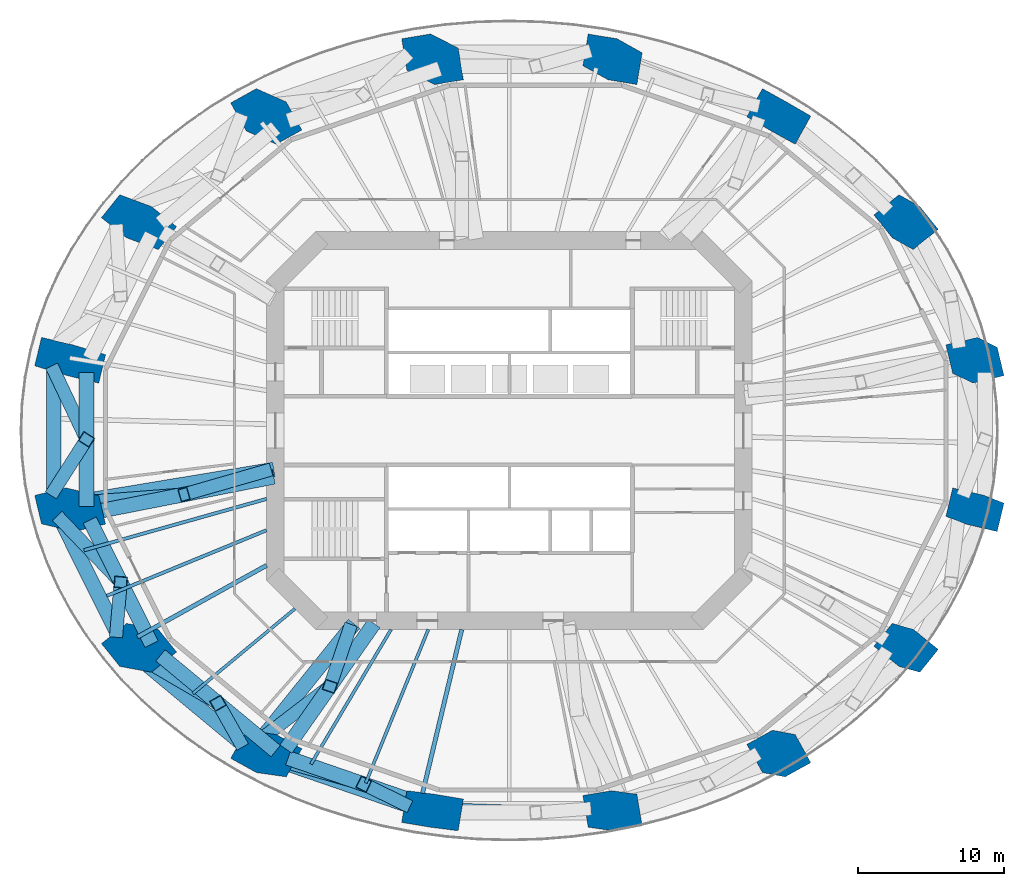
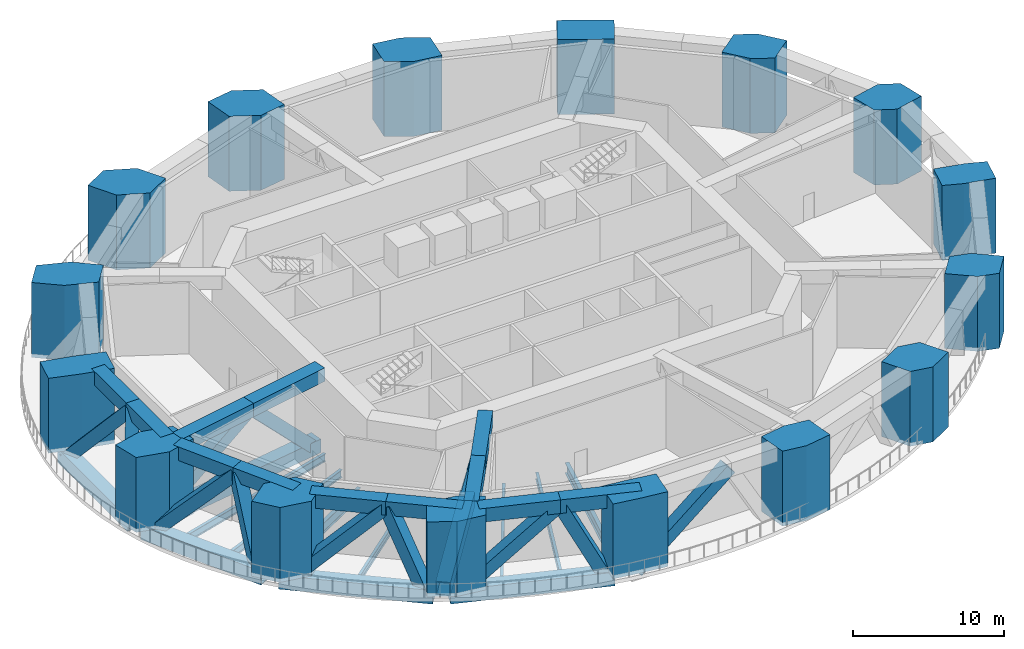
# One storey, part 1 of 12: 31 members, 16 columns, 7 beams.
"""IFC4 building model written with IfcOpenShell, lengths in metres."""

from ifc_helpers import new_model, si_unit, direction, frame, origin, origin_2d, place, context, subcontext, project, spatial, polyline, rectangle, hollow_rectangle, i_section, outline, extrude, material, material_profile, profile_set, type_object, element, save


model = new_model("IFC4")

# Units and contexts
model_context = context("Model", 3, precision=1e-05, world=origin(), true_north=direction((0.0, 1.0)))
body_context = subcontext(model_context, "Body", "Model", "MODEL_VIEW")
ifc_project = project(units=[si_unit("LENGTHUNIT", "METRE"), si_unit("AREAUNIT", "SQUARE_METRE"), si_unit("VOLUMEUNIT", "CUBIC_METRE"), si_unit("PLANEANGLEUNIT", "RADIAN"), si_unit("MASSUNIT", "GRAM", prefix="KILO")], contexts=[model_context])

# Site, building, storey
site_placement = place(None, origin())
site = spatial("IfcSite", under=ifc_project, at=site_placement, CompositionType="ELEMENT")
building_placement = place(site_placement, origin())
building = spatial("IfcBuilding", under=site, at=building_placement, Name="Marenthal Gate Tower", CompositionType="ELEMENT")
storey_placement = place(building_placement, frame((0.0, 0.0, 149.64990234375)))
storey = spatial("IfcBuildingStorey", under=building, at=storey_placement, Name="L32", CompositionType="ELEMENT", Elevation=149.64990234375)

# Columns
ifc_material_1 = material(Name="Steel S460", Category="steel")
ifc_material_profile_1 = material_profile(ifc_material_1, hollow_rectangle(XDim=2.0, YDim=2.199951171875, WallThickness=0.080078125, at=origin_2d()), Name="CFT BOX 2200X2000X80")
ifc_material_2 = material(Name="Concrete 70 MPa", Category="concrete")
ifc_material_profile_2 = material_profile(ifc_material_2, rectangle(XDim=1.840087890625, YDim=2.0400390625, at=origin_2d()), Name="CFT BOX 2200X2000X80 INFILL")
ifc_profile_set_1 = profile_set([ifc_material_profile_1, ifc_material_profile_2], Name="Steel S460 shell, Concrete 70 MPa infill")
column_type = type_object("IfcColumnType", Name="CFT BOX 2200X2000X80", PredefinedType="COLUMN", material=ifc_profile_set_1)
column_1_placement = place(storey_placement, frame((0.0, 0.0, -0.2998046875)))
element("IfcColumn", 1, at=column_1_placement, inside=storey, type_object=column_type, Name="COL-L32-01", PredefinedType="COLUMN", context=body_context, shape_type="SweptSolid", body=[
    extrude(outline(polyline([(31.680419921875, 3.24609375), (30.31494140625, 3.917236328125), (29.84912109375, 5.8623046875), (31.988525390625, 6.37451171875), (33.35400390625, 5.703369140625), (33.81982421875, 3.75830078125), (31.680419921875, 3.24609375)])), origin(), (0.0, 0.0, 1.0), 6.0498046875),
])
column_2_placement = place(storey_placement, frame((0.0, 0.0, -0.2998046875)))
element("IfcColumn", 2, at=column_2_placement, inside=storey, type_object=column_type, Name="COL-L32-02", PredefinedType="COLUMN", context=body_context, shape_type="SweptSolid", body=[
    extrude(outline(polyline([(27.610595703125, 12.3828125), (26.178955078125, 13.185546875), (24.92529296875, 14.743896484375), (26.639404296875, 16.123046875), (28.071044921875, 15.3203125), (29.32470703125, 13.761962890625), (27.610595703125, 12.3828125)])), origin(), (0.0, 0.0, 1.0), 6.0498046875),
])
column_3_placement = place(storey_placement, frame((0.0, 0.0, -0.2998046875)))
element("IfcColumn", 3, at=column_3_placement, inside=storey, type_object=column_type, Name="COL-L32-03", PredefinedType="COLUMN", context=body_context, shape_type="SweptSolid", body=[
    extrude(outline(polyline([(19.54052734375, 19.581298828125), (17.791748046875, 20.551513671875), (16.23779296875, 21.455078125), (17.305419921875, 23.378662109375), (19.05419921875, 22.408203125), (20.60791015625, 21.5048828125), (19.54052734375, 19.581298828125)])), origin(), (0.0, 0.0, 1.0), 6.0498046875),
])
column_4_placement = place(storey_placement, frame((0.0, 0.0, -0.2998046875)))
element("IfcColumn", 4, at=column_4_placement, inside=storey, type_object=column_type, Name="COL-L32-04", PredefinedType="COLUMN", context=body_context, shape_type="SweptSolid", body=[
    extrude(outline(polyline([(8.71728515625, 23.663818359375), (6.744140625, 23.989990234375), (5.030517578125, 24.947998046875), (5.38916015625, 27.118408203125), (7.3623046875, 26.79248046875), (9.075927734375, 25.83447265625), (8.71728515625, 23.663818359375)])), origin(), (0.0, 0.0, 1.0), 6.0498046875),
])
column_5_placement = place(storey_placement, frame((0.0, 0.0, -0.2998046875)))
element("IfcColumn", 5, at=column_5_placement, inside=storey, type_object=column_type, Name="COL-L32-05", PredefinedType="COLUMN", context=body_context, shape_type="SweptSolid", body=[
    extrude(outline(polyline([(-5.117431640625, 23.663818359375), (-7.00390625, 24.621826171875), (-7.3623046875, 26.79248046875), (-5.38916015625, 27.118408203125), (-3.502685546875, 26.160400390625), (-3.14404296875, 23.989990234375), (-5.117431640625, 23.663818359375)])), origin(), (0.0, 0.0, 1.0), 6.0498046875),
])
column_6_placement = place(storey_placement, frame((0.0, 0.0, -0.2998046875)))
element("IfcColumn", 6, at=column_6_placement, inside=storey, type_object=column_type, Name="COL-L32-06", PredefinedType="COLUMN", context=body_context, shape_type="SweptSolid", body=[
    extrude(outline(polyline([(-15.940673828125, 19.581298828125), (-17.98681640625, 20.484619140625), (-19.05419921875, 22.408203125), (-17.305419921875, 23.378662109375), (-15.25927734375, 22.47509765625), (-14.19189453125, 20.551513671875), (-15.940673828125, 19.581298828125)])), origin(), (0.0, 0.0, 1.0), 6.0498046875),
])
column_7_placement = place(storey_placement, frame((0.0, 0.0, -0.2998046875)))
element("IfcColumn", 7, at=column_7_placement, inside=storey, type_object=column_type, Name="COL-L32-07", PredefinedType="COLUMN", context=body_context, shape_type="SweptSolid", body=[
    extrude(outline(polyline([(-24.010498046875, 12.3828125), (-26.178955078125, 13.185546875), (-27.89306640625, 14.564697265625), (-26.639404296875, 16.123046875), (-24.470947265625, 15.3203125), (-22.7568359375, 13.941162109375), (-24.010498046875, 12.3828125)])), origin(), (0.0, 0.0, 1.0), 6.0498046875),
])
column_8_placement = place(storey_placement, frame((0.0, 0.0, -0.2998046875)))
element("IfcColumn", 8, at=column_8_placement, inside=storey, type_object=column_type, Name="COL-L32-08", PredefinedType="COLUMN", context=body_context, shape_type="SweptSolid", body=[
    extrude(outline(polyline([(-28.080322265625, 3.24609375), (-30.219970703125, 3.75830078125), (-32.454345703125, 4.4296875), (-31.988525390625, 6.37451171875), (-29.84912109375, 5.8623046875), (-27.614501953125, 5.19091796875), (-28.080322265625, 3.24609375)])), origin(), (0.0, 0.0, 1.0), 6.0498046875),
])
column_9_placement = place(storey_placement, frame((0.0, 0.0, -0.2998046875)))
element("IfcColumn", 9, at=column_9_placement, inside=storey, type_object=column_type, Name="COL-L32-09", PredefinedType="COLUMN", context=body_context, shape_type="SweptSolid", body=[
    extrude(outline(polyline([(-29.75390625, -6.9033203125), (-31.988525390625, -6.37451171875), (-32.454345703125, -4.4296875), (-30.31494140625, -3.917236328125), (-28.080322265625, -4.446044921875), (-27.614501953125, -6.39111328125), (-29.75390625, -6.9033203125)])), origin(), (0.0, 0.0, 1.0), 6.0498046875),
])
column_10_placement = place(storey_placement, frame((0.0, 0.0, -0.2998046875)))
element("IfcColumn", 10, at=column_10_placement, inside=storey, type_object=column_type, Name="COL-L32-10", PredefinedType="COLUMN", context=body_context, shape_type="SweptSolid", body=[
    extrude(outline(polyline([(-24.470947265625, -16.520263671875), (-26.639404296875, -16.123046875), (-27.89306640625, -14.564697265625), (-26.178955078125, -13.185546875), (-24.010498046875, -13.582763671875), (-22.7568359375, -15.14111328125), (-24.470947265625, -16.520263671875)])), origin(), (0.0, 0.0, 1.0), 6.0498046875),
])
column_11_placement = place(storey_placement, frame((0.0, 0.0, -0.2998046875)))
element("IfcColumn", 11, at=column_11_placement, inside=storey, type_object=column_type, Name="COL-L32-11", PredefinedType="COLUMN", context=body_context, shape_type="SweptSolid", body=[
    extrude(outline(polyline([(-15.25927734375, -23.67529296875), (-17.305419921875, -23.378662109375), (-19.05419921875, -22.408203125), (-17.98681640625, -20.484619140625), (-15.940673828125, -20.78125), (-14.19189453125, -21.751708984375), (-15.25927734375, -23.67529296875)])), origin(), (0.0, 0.0, 1.0), 6.0498046875),
])
column_12_placement = place(storey_placement, frame((0.0, 0.0, -0.2998046875)))
element("IfcColumn", 12, at=column_12_placement, inside=storey, type_object=column_type, Name="COL-L32-12", PredefinedType="COLUMN", context=body_context, shape_type="SweptSolid", body=[
    extrude(outline(polyline([(-3.502685546875, -27.360595703125), (-5.38916015625, -27.118408203125), (-7.3623046875, -26.79248046875), (-7.00390625, -24.621826171875), (-5.117431640625, -24.864013671875), (-3.14404296875, -25.18994140625), (-3.502685546875, -27.360595703125)])), origin(), (0.0, 0.0, 1.0), 6.0498046875),
])
column_13_placement = place(storey_placement, frame((0.0, 0.0, -0.2998046875)))
element("IfcColumn", 13, at=column_13_placement, inside=storey, type_object=column_type, Name="COL-L32-13", PredefinedType="COLUMN", context=body_context, shape_type="SweptSolid", body=[
    extrude(outline(polyline([(7.1025390625, -27.360595703125), (5.38916015625, -27.118408203125), (5.030517578125, -24.947998046875), (7.00390625, -24.621826171875), (8.71728515625, -24.864013671875), (9.075927734375, -27.034423828125), (7.1025390625, -27.360595703125)])), origin(), (0.0, 0.0, 1.0), 6.0498046875),
])
column_14_placement = place(storey_placement, frame((0.0, 0.0, -0.2998046875)))
element("IfcColumn", 14, at=column_14_placement, inside=storey, type_object=column_type, Name="COL-L32-14", PredefinedType="COLUMN", context=body_context, shape_type="SweptSolid", body=[
    extrude(outline(polyline([(18.859130859375, -23.67529296875), (17.305419921875, -23.378662109375), (16.23779296875, -21.455078125), (17.98681640625, -20.484619140625), (19.54052734375, -20.78125), (20.60791015625, -22.704833984375), (18.859130859375, -23.67529296875)])), origin(), (0.0, 0.0, 1.0), 6.0498046875),
])
column_15_placement = place(storey_placement, frame((0.0, 0.0, -0.2998046875)))
element("IfcColumn", 15, at=column_15_placement, inside=storey, type_object=column_type, Name="COL-L32-15", PredefinedType="COLUMN", context=body_context, shape_type="SweptSolid", body=[
    extrude(outline(polyline([(28.071044921875, -16.520263671875), (26.639404296875, -16.123046875), (24.92529296875, -14.743896484375), (26.178955078125, -13.185546875), (27.610595703125, -13.582763671875), (29.32470703125, -14.9619140625), (28.071044921875, -16.520263671875)])), origin(), (0.0, 0.0, 1.0), 6.0498046875),
])
column_16_placement = place(storey_placement, frame((0.0, 0.0, -0.2998046875)))
element("IfcColumn", 16, at=column_16_placement, inside=storey, type_object=column_type, Name="COL-L32-16", PredefinedType="COLUMN", context=body_context, shape_type="SweptSolid", body=[
    extrude(outline(polyline([(33.35400390625, -6.9033203125), (31.214599609375, -6.39111328125), (29.84912109375, -5.8623046875), (30.31494140625, -3.917236328125), (32.454345703125, -4.4296875), (33.81982421875, -4.95849609375), (33.35400390625, -6.9033203125)])), origin(), (0.0, 0.0, 1.0), 6.0498046875),
])

# Beams
ifc_material_3 = material(Name="Steel S355", Category="steel")
ifc_material_profile_3 = material_profile(ifc_material_3, i_section(OverallWidth=0.2099609375, OverallDepth=0.535888671875, WebThickness=0.010986328125, FlangeThickness=0.017333984375, FilletRadius=0.0126953125, at=origin_2d()), Name="W530X101")
ifc_profile_set_2 = profile_set([ifc_material_profile_3], Name="Steel S355")
beam_type_1 = type_object("IfcBeamType", Name="W530X101 beam", PredefinedType="BEAM", material=ifc_profile_set_2)
beam_1_placement = place(storey_placement, frame((-21.63623046875, -17.968017578125, -0.56787109375), z_axis=(0.769315904911, 0.638868561169, 0.0), x_axis=(-0.638868561169, 0.769315904911, 0.0)))
element("IfcBeam", 17, at=beam_1_placement, inside=storey, type_object=beam_type_1, Name="BM-L32-23", PredefinedType="BEAM", context=body_context, shape_type="SweptSolid", body=[
    extrude(i_section(OverallWidth=0.2099609375, OverallDepth=0.535888671875, WebThickness=0.010986328125, FlangeThickness=0.017333984375, FilletRadius=0.0126953125, at=origin_2d()), origin(), (0.0, 0.0, 1.0), 9.058349609375),
])
ifc_material_4 = material(Name="Steel S355", Category="steel")
ifc_material_profile_4 = material_profile(ifc_material_4, i_section(OverallWidth=0.2119140625, OverallDepth=0.5439453125, WebThickness=0.01318359375, FlangeThickness=0.021240234375, FilletRadius=0.0126953125, at=origin_2d()), Name="W530X123")
ifc_profile_set_3 = profile_set([ifc_material_profile_4], Name="Steel S355")
beam_type_2 = type_object("IfcBeamType", Name="W530X123 beam", PredefinedType="BEAM", material=ifc_profile_set_3)
beam_2_placement = place(storey_placement, frame((-13.568359375, -22.8056640625, -0.572021484375), z_axis=(0.511314756252, 0.859393518732, 0.0), x_axis=(-0.859393518732, 0.511314756252, 0.0)))
element("IfcBeam", 18, at=beam_2_placement, inside=storey, type_object=beam_type_2, Name="BM-L32-24", PredefinedType="BEAM", context=body_context, shape_type="SweptSolid", body=[
    extrude(i_section(OverallWidth=0.2119140625, OverallDepth=0.5439453125, WebThickness=0.01318359375, FlangeThickness=0.021240234375, FilletRadius=0.0126953125, at=origin_2d()), origin(), (0.0, 0.0, 1.0), 10.711669921875),
])
beam_3_placement = place(storey_placement, frame((-9.823974609375, -24.09375, -0.572021484375), z_axis=(0.377552126987, 0.92598833222, 0.0), x_axis=(-0.92598833222, 0.377552126987, 0.0)))
element("IfcBeam", 19, at=beam_3_placement, inside=storey, type_object=beam_type_2, Name="BM-L32-25", PredefinedType="BEAM", context=body_context, shape_type="SweptSolid", body=[
    extrude(i_section(OverallWidth=0.2119140625, OverallDepth=0.5439453125, WebThickness=0.01318359375, FlangeThickness=0.021240234375, FilletRadius=0.0126953125, at=origin_2d()), origin(), (0.0, 0.0, 1.0), 11.332275390625),
])
ifc_material_5 = material(Name="Steel S355", Category="steel")
ifc_material_profile_5 = material_profile(ifc_material_5, i_section(OverallWidth=0.22900390625, OverallDepth=0.612060546875, WebThickness=0.011962890625, FlangeThickness=0.01953125, FilletRadius=0.0126953125, at=origin_2d()), Name="W610X125")
ifc_profile_set_4 = profile_set([ifc_material_profile_5], Name="Steel S355")
beam_type_3 = type_object("IfcBeamType", Name="W610X125 beam", PredefinedType="BEAM", material=ifc_profile_set_4)
beam_4_placement = place(storey_placement, frame((-29.080810546875, -8.177490234375, -0.60595703125), z_axis=(0.962664589347, 0.270697041761, 0.0), x_axis=(-0.270697041761, 0.962664589347, 0.0)))
element("IfcBeam", 20, at=beam_4_placement, inside=storey, type_object=beam_type_3, Name="BM-L32-21", PredefinedType="BEAM", context=body_context, shape_type="SweptSolid", body=[
    extrude(i_section(OverallWidth=0.22900390625, OverallDepth=0.612060546875, WebThickness=0.011962890625, FlangeThickness=0.01953125, FilletRadius=0.0126953125, at=origin_2d()), origin(), (0.0, 0.0, 1.0), 12.96484375),
])
beam_5_placement = place(storey_placement, frame((-27.526123046875, -11.29443359375, -0.60595703125), z_axis=(0.925148328631, 0.379605808743, 0.0), x_axis=(-0.379605808743, 0.925148328631, 0.0)))
element("IfcBeam", 21, at=beam_5_placement, inside=storey, type_object=beam_type_3, Name="BM-L32-22", PredefinedType="BEAM", context=body_context, shape_type="SweptSolid", body=[
    extrude(i_section(OverallWidth=0.22900390625, OverallDepth=0.612060546875, WebThickness=0.011962890625, FlangeThickness=0.01953125, FilletRadius=0.0126953125, at=origin_2d()), origin(), (0.0, 0.0, 1.0), 11.81005859375),
])
ifc_material_6 = material(Name="Steel S355", Category="steel")
ifc_material_profile_6 = material_profile(ifc_material_6, i_section(OverallWidth=0.2919921875, OverallDepth=0.841064453125, WebThickness=0.0146484375, FlangeThickness=0.021728515625, FilletRadius=0.017822265625, at=origin_2d()), Name="W840X193")
ifc_profile_set_5 = profile_set([ifc_material_profile_6], Name="Steel S355")
beam_type_4 = type_object("IfcBeamType", Name="W840X193 beam", PredefinedType="BEAM", material=ifc_profile_set_5)
beam_6_placement = place(storey_placement, frame((-25.43310546875, -14.11279296875, -0.720458984375), z_axis=(0.87439315155, 0.485218112318, 0.0), x_axis=(-0.485218112318, 0.87439315155, 0.0)))
element("IfcBeam", 22, at=beam_6_placement, inside=storey, type_object=beam_type_4, Name="BM-L32-05", PredefinedType="BEAM", context=body_context, shape_type="SweptSolid", body=[
    extrude(i_section(OverallWidth=0.2919921875, OverallDepth=0.841064453125, WebThickness=0.0146484375, FlangeThickness=0.021728515625, FilletRadius=0.017822265625, at=origin_2d()), origin(), (0.0, 0.0, 1.0), 10.101806640625),
])
beam_7_placement = place(storey_placement, frame((-5.939697265625, -24.797607421875, -0.720458984375), z_axis=(0.232939880808, 0.972491137198, 0.0), x_axis=(-0.972491137198, 0.232939880808, 0.0)))
element("IfcBeam", 23, at=beam_7_placement, inside=storey, type_object=beam_type_4, Name="BM-L32-06", PredefinedType="BEAM", context=body_context, shape_type="SweptSolid", body=[
    extrude(i_section(OverallWidth=0.2919921875, OverallDepth=0.841064453125, WebThickness=0.0146484375, FlangeThickness=0.021728515625, FilletRadius=0.017822265625, at=origin_2d()), origin(), (0.0, 0.0, 1.0), 11.51416015625),
])

# Members
ifc_material_7 = material(Name="Steel S460", Category="steel")
ifc_material_profile_7 = material_profile(ifc_material_7, hollow_rectangle(XDim=1.0, YDim=1.10009765625, WallThickness=0.070068359375, at=origin_2d()), Name="BOX 1100X1000X70")
ifc_profile_set_6 = profile_set([ifc_material_profile_7], Name="Steel S460")
member_type_1 = type_object("IfcMemberType", Name="belt chord BOX 1100X1000X70", PredefinedType="CHORD", material=ifc_profile_set_6)
member_1_placement = place(storey_placement, frame((-31.151611328125, 4.61767578125, -0.849853515625), z_axis=(0.0, -1.0, 0.0), x_axis=(1.0, 0.0, 0.0)))
element("IfcMember", 24, at=member_1_placement, inside=storey, type_object=member_type_1, Name="BT-L32-36", PredefinedType="CHORD", context=body_context, shape_type="SweptSolid", body=[
    extrude(hollow_rectangle(XDim=1.0, YDim=1.10009765625, WallThickness=0.070068359375, at=origin_2d()), origin(), (0.0, 0.0, 1.0), 9.2353515625),
])
member_2_placement = place(storey_placement, frame((-28.917236328125, 3.97216796875, 5.2001953125), z_axis=(0.0, -1.0, 0.0), x_axis=(1.0, 0.0, 0.0)))
element("IfcMember", 25, at=member_2_placement, inside=storey, type_object=member_type_1, Name="BT-L32-37", PredefinedType="CHORD", context=body_context, shape_type="SweptSolid", body=[
    extrude(hollow_rectangle(XDim=1.0, YDim=1.10009765625, WallThickness=0.070068359375, at=origin_2d()), origin(), (0.0, 0.0, 1.0), 4.572265625),
])
member_3_placement = place(storey_placement, frame((-28.917236328125, -0.60009765625, 5.2001953125), z_axis=(0.0, -1.0, 0.0), x_axis=(1.0, 0.0, 0.0)))
element("IfcMember", 26, at=member_3_placement, inside=storey, type_object=member_type_1, Name="BT-L32-38", PredefinedType="CHORD", context=body_context, shape_type="SweptSolid", body=[
    extrude(hollow_rectangle(XDim=1.0, YDim=1.10009765625, WallThickness=0.070068359375, at=origin_2d()), origin(), (0.0, 0.0, 1.0), 4.572021484375),
])
member_4_placement = place(storey_placement, frame((-30.916748046875, -5.616943359375, -0.849853515625), z_axis=(0.446356728124, -0.89485511188, 0.0), x_axis=(0.89485511188, 0.446356728124, 0.0)))
element("IfcMember", 27, at=member_4_placement, inside=storey, type_object=member_type_1, Name="BT-L32-41", PredefinedType="CHORD", context=body_context, shape_type="SweptSolid", body=[
    extrude(hollow_rectangle(XDim=1.0, YDim=1.10009765625, WallThickness=0.070068359375, at=origin_2d()), origin(), (0.0, 0.0, 1.0), 9.57568359375),
])
for number, where, z_axis, x_axis, name in (
    (28, (-28.693603515625, -6.122802734375, 5.2001953125), (0.446265596634, -0.894900562778, 0.0), (0.894900562778, 0.446265596634, 0.0), "BT-L32-42"),
    (29, (-26.578369140625, -10.364501953125, 5.2001953125), (0.446327417471, -0.894869731533, 0.0), (0.894869731533, 0.446327417471, 0.0), "BT-L32-43"),
):
    element("IfcMember", number, at=place(storey_placement, frame(where, z_axis=z_axis, x_axis=x_axis)), inside=storey, type_object=member_type_1, Name=name, PredefinedType="CHORD", context=body_context, shape_type="SweptSolid", body=[
        extrude(hollow_rectangle(XDim=1.0, YDim=1.10009765625, WallThickness=0.070068359375, at=origin_2d()), origin(), (0.0, 0.0, 1.0), 4.73974609375),
    ])
member_5_placement = place(storey_placement, frame((-26.0087890625, -14.98681640625, -0.849853515625), z_axis=(0.769308410826, -0.638877585326, 0.0), x_axis=(0.638877585326, 0.769308410826, 0.0)))
element("IfcMember", 30, at=member_5_placement, inside=storey, type_object=member_type_1, Name="BT-L32-46", PredefinedType="CHORD", context=body_context, shape_type="SweptSolid", body=[
    extrude(hollow_rectangle(XDim=1.0, YDim=1.10009765625, WallThickness=0.070068359375, at=origin_2d()), origin(), (0.0, 0.0, 1.0), 10.35302734375),
])
member_6_placement = place(storey_placement, frame((-23.860107421875, -15.36767578125, 5.2001953125), z_axis=(0.769271096313, -0.638922515159, 0.0), x_axis=(0.638922515159, 0.769271096313, 0.0)))
element("IfcMember", 31, at=member_6_placement, inside=storey, type_object=member_type_1, Name="BT-L32-47", PredefinedType="CHORD", context=body_context, shape_type="SweptSolid", body=[
    extrude(hollow_rectangle(XDim=1.0, YDim=1.10009765625, WallThickness=0.070068359375, at=origin_2d()), origin(), (0.0, 0.0, 1.0), 5.12255859375),
])
member_7_placement = place(storey_placement, frame((-19.91943359375, -18.640625, 5.2001953125), z_axis=(0.76926712736, -0.6389272938, 0.0), x_axis=(0.6389272938, 0.76926712736, 0.0)))
element("IfcMember", 32, at=member_7_placement, inside=storey, type_object=member_type_1, Name="BT-L32-48", PredefinedType="CHORD", context=body_context, shape_type="SweptSolid", body=[
    extrude(hollow_rectangle(XDim=1.0, YDim=1.10009765625, WallThickness=0.070068359375, at=origin_2d()), origin(), (0.0, 0.0, 1.0), 5.123046875),
])
member_8_placement = place(storey_placement, frame((-17.158447265625, -22.099365234375, -0.849853515625), z_axis=(0.945616285836, -0.325284244871, 0.0), x_axis=(0.325284244871, 0.945616285836, 0.0)))
element("IfcMember", 33, at=member_8_placement, inside=storey, type_object=member_type_1, Name="BT-L32-51", PredefinedType="CHORD", context=body_context, shape_type="SweptSolid", body=[
    extrude(hollow_rectangle(XDim=1.0, YDim=1.10009765625, WallThickness=0.070068359375, at=origin_2d()), origin(), (0.0, 0.0, 1.0), 11.078125),
])
for number, where, z_axis, x_axis, name in (
    (34, (-15.136474609375, -22.3876953125, 5.2001953125), (0.945610391529, -0.32530137939, 0.0), (0.32530137939, 0.945610391529, 0.0), "BT-L32-52"),
    (35, (-9.954345703125, -24.17041015625, 5.2001953125), (0.945610391529, -0.32530137939, 0.0), (0.32530137939, 0.945610391529, 0.0), "BT-L32-53"),
):
    element("IfcMember", number, at=place(storey_placement, frame(where, z_axis=z_axis, x_axis=x_axis)), inside=storey, type_object=member_type_1, Name=name, PredefinedType="CHORD", context=body_context, shape_type="SweptSolid", body=[
        extrude(hollow_rectangle(XDim=1.0, YDim=1.10009765625, WallThickness=0.070068359375, at=origin_2d()), origin(), (0.0, 0.0, 1.0), 5.480224609375),
    ])
ifc_material_8 = material(Name="Steel S355", Category="steel")
ifc_material_profile_8 = material_profile(ifc_material_8, hollow_rectangle(XDim=0.89990234375, YDim=0.89990234375, WallThickness=0.050048828125, at=origin_2d()), Name="BOX 900X900X50")
ifc_profile_set_7 = profile_set([ifc_material_profile_8], Name="Steel S355")
member_type_2 = type_object("IfcMemberType", Name="belt diagonal BOX 900X900X50", PredefinedType="BRACE", material=ifc_profile_set_7)
member_9_placement = place(storey_placement, frame((-31.151611328125, 4.11767578125, -0.849853515625), z_axis=(0.279618383585, -0.590400529326, 0.757126656863), x_axis=(0.903764501829, 0.428030051788, 0.0)))
element("IfcMember", 36, at=member_9_placement, inside=storey, type_object=member_type_2, Name="BT-L32-39", PredefinedType="BRACE", context=body_context, shape_type="SweptSolid", body=[
    extrude(hollow_rectangle(XDim=0.89990234375, YDim=0.89990234375, WallThickness=0.050048828125, at=origin_2d()), origin(), (0.0, 0.0, 1.0), 7.99072265625),
])
member_10_placement = place(storey_placement, frame((-28.917236328125, -0.60009765625, 5.2001953125), z_axis=(-0.304147581569, -0.478819750354, -0.823544713599), x_axis=(0.844105073435, -0.536177792343, 0.0)))
element("IfcMember", 37, at=member_10_placement, inside=storey, type_object=member_type_2, Name="BT-L32-40", PredefinedType="BRACE", context=body_context, shape_type="SweptSolid", body=[
    extrude(hollow_rectangle(XDim=0.89990234375, YDim=0.89990234375, WallThickness=0.050048828125, at=origin_2d()), origin(), (0.0, 0.0, 1.0), 7.346435546875),
])
member_11_placement = place(storey_placement, frame((-30.693603515625, -6.064453125, -0.849853515625), z_axis=(0.484888509591, -0.506664767408, 0.71286320338), x_axis=(0.722461884997, 0.691410749646, 0.0)))
element("IfcMember", 38, at=member_11_placement, inside=storey, type_object=member_type_2, Name="BT-L32-44", PredefinedType="BRACE", context=body_context, shape_type="SweptSolid", body=[
    extrude(hollow_rectangle(XDim=0.89990234375, YDim=0.89990234375, WallThickness=0.050048828125, at=origin_2d()), origin(), (0.0, 0.0, 1.0), 8.487060546875),
])
member_12_placement = place(storey_placement, frame((-26.578369140625, -10.364501953125, 5.2001953125), z_axis=(-0.041481691566, -0.486617568549, -0.872629710269), x_axis=(0.996386331733, -0.084936905621, 0.0)))
element("IfcMember", 39, at=member_12_placement, inside=storey, type_object=member_type_2, Name="BT-L32-45", PredefinedType="BRACE", context=body_context, shape_type="SweptSolid", body=[
    extrude(hollow_rectangle(XDim=0.89990234375, YDim=0.89990234375, WallThickness=0.050048828125, at=origin_2d()), origin(), (0.0, 0.0, 1.0), 6.93310546875),
])
member_13_placement = place(storey_placement, frame((-25.6240234375, -15.30615234375, -0.849853515625), z_axis=(0.636742202285, -0.372191431944, 0.67530208486), x_axis=(0.504638123465, 0.863330970339, 0.0)))
element("IfcMember", 40, at=member_13_placement, inside=storey, type_object=member_type_2, Name="BT-L32-49", PredefinedType="BRACE", context=body_context, shape_type="SweptSolid", body=[
    extrude(hollow_rectangle(XDim=0.89990234375, YDim=0.89990234375, WallThickness=0.050048828125, at=origin_2d()), origin(), (0.0, 0.0, 1.0), 8.958984375),
])
member_14_placement = place(storey_placement, frame((-19.91943359375, -18.640625, 5.2001953125), z_axis=(0.220241237373, -0.390229232542, -0.893988223317), x_axis=(0.870871556177, 0.491510663813, 0.0)))
element("IfcMember", 41, at=member_14_placement, inside=storey, type_object=member_type_2, Name="BT-L32-50", PredefinedType="BRACE", context=body_context, shape_type="SweptSolid", body=[
    extrude(hollow_rectangle(XDim=0.89990234375, YDim=0.89990234375, WallThickness=0.050048828125, at=origin_2d()), origin(), (0.0, 0.0, 1.0), 6.767578125),
])
member_15_placement = place(storey_placement, frame((-16.685791015625, -22.261962890625, -0.849853515625), z_axis=(0.727744580503, -0.206324509857, 0.654077993959), x_axis=(0.27276191746, 0.962081564309, 0.0)))
element("IfcMember", 42, at=member_15_placement, inside=storey, type_object=member_type_2, Name="BT-L32-54", PredefinedType="BRACE", context=body_context, shape_type="SweptSolid", body=[
    extrude(hollow_rectangle(XDim=0.89990234375, YDim=0.89990234375, WallThickness=0.050048828125, at=origin_2d()), origin(), (0.0, 0.0, 1.0), 9.249755859375),
])
member_16_placement = place(storey_placement, frame((-9.954345703125, -24.17041015625, 5.2001953125), z_axis=(0.411267497541, -0.201292910738, -0.889010803957), x_axis=(0.439613384188, 0.898187103249, 0.0)))
element("IfcMember", 43, at=member_16_placement, inside=storey, type_object=member_type_2, Name="BT-L32-55", PredefinedType="BRACE", context=body_context, shape_type="SweptSolid", body=[
    extrude(hollow_rectangle(XDim=0.89990234375, YDim=0.89990234375, WallThickness=0.050048828125, at=origin_2d()), origin(), (0.0, 0.0, 1.0), 6.805419921875),
])
member_17_placement = place(storey_placement, frame((-5.182861328125, -25.8701171875, -0.849853515625), z_axis=(0.755526330265, -0.026203836082, 0.654594014066), x_axis=(0.034662048037, 0.999399090667, 0.0)))
element("IfcMember", 44, at=member_17_placement, inside=storey, type_object=member_type_2, Name="BT-L32-59", PredefinedType="BRACE", context=body_context, shape_type="SweptSolid", body=[
    extrude(hollow_rectangle(XDim=0.89990234375, YDim=0.89990234375, WallThickness=0.050048828125, at=origin_2d()), origin(), (0.0, 0.0, 1.0), 9.242431640625),
])
ifc_material_9 = material(Name="Steel S460", Category="steel")
ifc_material_profile_9 = material_profile(ifc_material_9, hollow_rectangle(XDim=1.0, YDim=1.10009765625, WallThickness=0.070068359375, at=origin_2d()), Name="BOX 1100X1000X70")
ifc_profile_set_8 = profile_set([ifc_material_profile_9], Name="Steel S460")
member_type_3 = type_object("IfcMemberType", Name="outrigger chord BOX 1100X1000X70", PredefinedType="CHORD", material=ifc_profile_set_8)
member_18_placement = place(storey_placement, frame((-30.556884765625, -5.047607421875, -0.849853515625), z_axis=(0.986629875188, 0.162976959683, 0.0), x_axis=(-0.162976959683, 0.986629875188, 0.0)))
element("IfcMember", 45, at=member_18_placement, inside=storey, type_object=member_type_3, Name="OR-L32-101", PredefinedType="CHORD", context=body_context, shape_type="SweptSolid", body=[
    extrude(hollow_rectangle(XDim=1.0, YDim=1.10009765625, WallThickness=0.070068359375, at=origin_2d()), origin(), (0.0, 0.0, 1.0), 14.64599609375),
])
member_19_placement = place(storey_placement, frame((-28.376708984375, -5.568603515625, 5.2001953125), z_axis=(0.981286264784, 0.192554580695, 0.0), x_axis=(-0.192554580695, 0.981286264784, 0.0)))
element("IfcMember", 46, at=member_19_placement, inside=storey, type_object=member_type_3, Name="OR-L32-102", PredefinedType="CHORD", context=body_context, shape_type="SweptSolid", body=[
    extrude(hollow_rectangle(XDim=1.0, YDim=1.10009765625, WallThickness=0.070068359375, at=origin_2d()), origin(), (0.0, 0.0, 1.0), 6.250732421875),
])
member_20_placement = place(storey_placement, frame((-22.242919921875, -4.364990234375, 5.2001953125), z_axis=(0.981284816547, 0.192561960975, 0.0), x_axis=(-0.192561960975, 0.981284816547, 0.0)))
element("IfcMember", 47, at=member_20_placement, inside=storey, type_object=member_type_3, Name="OR-L32-103", PredefinedType="CHORD", context=body_context, shape_type="SweptSolid", body=[
    extrude(hollow_rectangle(XDim=1.0, YDim=1.10009765625, WallThickness=0.070068359375, at=origin_2d()), origin(), (0.0, 0.0, 1.0), 6.25048828125),
])
member_21_placement = place(storey_placement, frame((-17.259521484375, -21.45166015625, -0.849853515625), z_axis=(0.626862832539, 0.779129635671, 0.0), x_axis=(-0.779129635671, 0.626862832539, 0.0)))
element("IfcMember", 48, at=member_21_placement, inside=storey, type_object=member_type_3, Name="OR-L32-106", PredefinedType="CHORD", context=body_context, shape_type="SweptSolid", body=[
    extrude(hollow_rectangle(XDim=1.0, YDim=1.10009765625, WallThickness=0.070068359375, at=origin_2d()), origin(), (0.0, 0.0, 1.0), 10.577392578125),
])
member_22_placement = place(storey_placement, frame((-15.280517578125, -21.773193359375, 5.2001953125), z_axis=(0.574433960424, 0.818550930066, 0.0), x_axis=(-0.818550930066, 0.574433960424, 0.0)))
element("IfcMember", 49, at=member_22_placement, inside=storey, type_object=member_type_3, Name="OR-L32-107", PredefinedType="CHORD", context=body_context, shape_type="SweptSolid", body=[
    extrude(hollow_rectangle(XDim=1.0, YDim=1.10009765625, WallThickness=0.070068359375, at=origin_2d()), origin(), (0.0, 0.0, 1.0), 5.242431640625),
])
member_23_placement = place(storey_placement, frame((-12.26904296875, -17.48193359375, 5.2001953125), z_axis=(0.574465161885, 0.818529032949, 0.0), x_axis=(-0.818529032949, 0.574465161885, 0.0)))
element("IfcMember", 50, at=member_23_placement, inside=storey, type_object=member_type_3, Name="OR-L32-108", PredefinedType="CHORD", context=body_context, shape_type="SweptSolid", body=[
    extrude(hollow_rectangle(XDim=1.0, YDim=1.10009765625, WallThickness=0.070068359375, at=origin_2d()), origin(), (0.0, 0.0, 1.0), 5.24267578125),
])
ifc_material_10 = material(Name="Steel S355", Category="steel")
ifc_material_profile_10 = material_profile(ifc_material_10, hollow_rectangle(XDim=0.89990234375, YDim=0.89990234375, WallThickness=0.050048828125, at=origin_2d()), Name="BOX 900X900X50")
ifc_profile_set_9 = profile_set([ifc_material_profile_10], Name="Steel S355")
member_type_4 = type_object("IfcMemberType", Name="outrigger diagonal BOX 900X900X50", PredefinedType="BRACE", material=ifc_profile_set_9)
member_24_placement = place(storey_placement, frame((-30.063720703125, -4.96630859375, -0.849853515625), z_axis=(0.789498320021, 0.060702202729, 0.6107435184), x_axis=(-0.076660796666, 0.997057231183, 0.0)))
element("IfcMember", 51, at=member_24_placement, inside=storey, type_object=member_type_4, Name="OR-L32-104", PredefinedType="BRACE", context=body_context, shape_type="SweptSolid", body=[
    extrude(hollow_rectangle(XDim=0.89990234375, YDim=0.89990234375, WallThickness=0.050048828125, at=origin_2d()), origin(), (0.0, 0.0, 1.0), 9.906005859375),
])
member_25_placement = place(storey_placement, frame((-22.242919921875, -4.364990234375, 5.2001953125), z_axis=(0.669312140375, 0.192485518845, -0.717614509178), x_axis=(-0.276384715826, 0.961047079418, 0.0)))
element("IfcMember", 52, at=member_25_placement, inside=storey, type_object=member_type_4, Name="OR-L32-105", PredefinedType="BRACE", context=body_context, shape_type="SweptSolid", body=[
    extrude(hollow_rectangle(XDim=0.89990234375, YDim=0.89990234375, WallThickness=0.050048828125, at=origin_2d()), origin(), (0.0, 0.0, 1.0), 8.4306640625),
])
member_26_placement = place(storey_placement, frame((-16.9462890625, -21.06201171875, -0.849853515625), z_axis=(0.553930863787, 0.423992180112, 0.716513244363), x_axis=(-0.607810055323, 0.794082449528, 0.0)))
element("IfcMember", 53, at=member_26_placement, inside=storey, type_object=member_type_4, Name="OR-L32-109", PredefinedType="BRACE", context=body_context, shape_type="SweptSolid", body=[
    extrude(hollow_rectangle(XDim=0.89990234375, YDim=0.89990234375, WallThickness=0.050048828125, at=origin_2d()), origin(), (0.0, 0.0, 1.0), 8.44384765625),
])
member_27_placement = place(storey_placement, frame((-12.26904296875, -17.48193359375, 5.2001953125), z_axis=(0.181493013943, 0.531052433143, -0.827673606649), x_axis=(-0.946263707118, 0.32339603676, 0.0)))
element("IfcMember", 54, at=member_27_placement, inside=storey, type_object=member_type_4, Name="OR-L32-110", PredefinedType="BRACE", context=body_context, shape_type="SweptSolid", body=[
    extrude(hollow_rectangle(XDim=0.89990234375, YDim=0.89990234375, WallThickness=0.050048828125, at=origin_2d()), origin(), (0.0, 0.0, 1.0), 7.309814453125),
])

save(model, "model.ifc")
